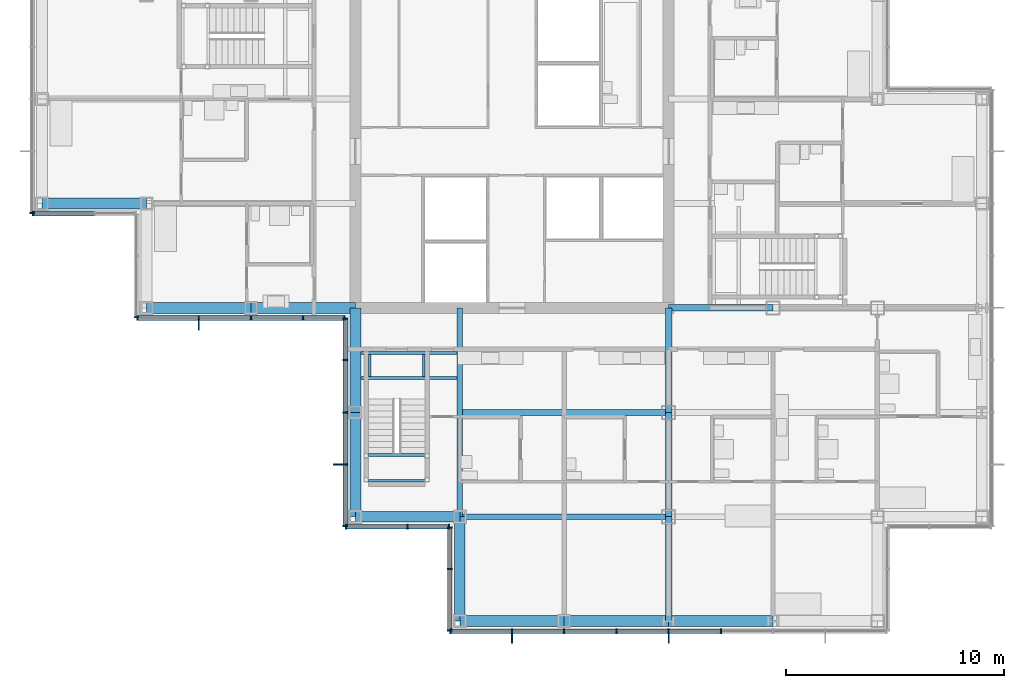
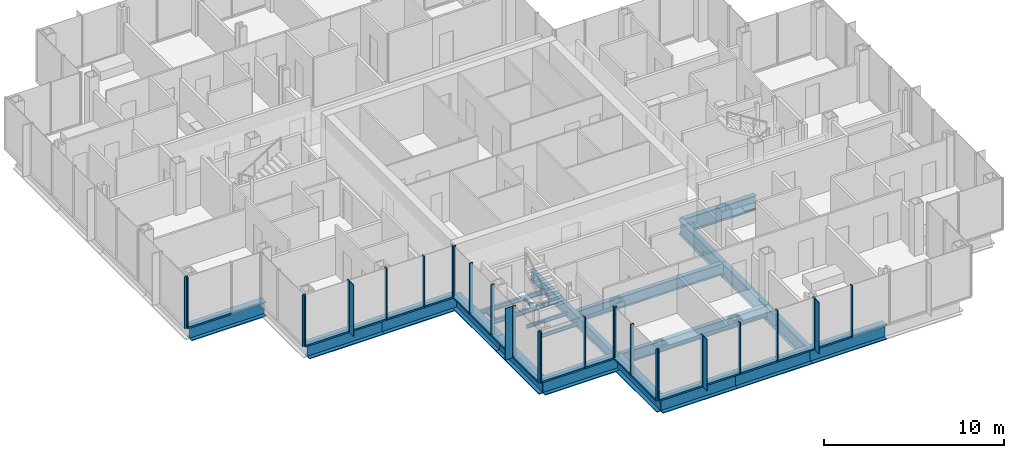
# One storey, part 6 of 20: 47 members, 23 beams, 8 elements without a shape of their own.
"""IFC4 building model written with IfcOpenShell, lengths in metres."""

from ifc_helpers import new_model, si_unit, direction, frame, origin, origin_2d, place, context, subcontext, project, spatial, rectangle, i_section, extrude, material, material_profile, profile_set, type_object, element, aggregate, save


model = new_model("IFC4")

# Units and contexts
model_context = context("Model", 3, precision=1e-05, world=origin(), true_north=direction((0.0, 1.0)))
body_context = subcontext(model_context, "Body", "Model", "MODEL_VIEW")
ifc_project = project(units=[si_unit("LENGTHUNIT", "METRE"), si_unit("AREAUNIT", "SQUARE_METRE"), si_unit("VOLUMEUNIT", "CUBIC_METRE"), si_unit("PLANEANGLEUNIT", "RADIAN"), si_unit("MASSUNIT", "GRAM", prefix="KILO")], contexts=[model_context])

# Site, building, storey
site_placement = place(None, origin())
site = spatial("IfcSite", under=ifc_project, at=site_placement, CompositionType="ELEMENT")
building_placement = place(site_placement, origin())
building = spatial("IfcBuilding", under=site, at=building_placement, Name="Kvirike Care Tower", CompositionType="ELEMENT")
storey_placement = place(building_placement, frame((0.0, 0.0, 112.0)))
storey = spatial("IfcBuildingStorey", under=building, at=storey_placement, Name="L30", CompositionType="ELEMENT", Elevation=112.0)

# Curtain wall, member
ifc_material_1 = material(Name="Anodised aluminium stick system", Category="aluminium")
curtain_wall_type = type_object("IfcCurtainWallType", Name="CW-B STICK CURTAIN WALL", PredefinedType="NOTDEFINED", material=ifc_material_1)
curtain_wall_1_placement = place(storey_placement, origin())
curtain_wall_1 = element("IfcCurtainWall", 1, at=curtain_wall_1_placement, inside=storey, type_object=curtain_wall_type, Name="Curtain wall L30 face 14", PredefinedType="NOTDEFINED")
ifc_material_2 = material(Name="Bronze anodised aluminium fin", Category="aluminium")
ifc_material_profile_1 = material_profile(ifc_material_2, rectangle(XDim=0.050048828125, YDim=0.449951171875, at=origin_2d()), Name="BRONZE FIN 450")
ifc_profile_set_1 = profile_set([ifc_material_profile_1], Name="Bronze anodised aluminium fin")
member_type_1 = type_object("IfcMemberType", Name="BRONZE FIN 450", PredefinedType="USERDEFINED", material=ifc_profile_set_1)
member_1_placement = place(storey_placement, frame((7.199951171875, 28.0048828125, 0.0), z_axis=(0.0, 0.0, 1.0), x_axis=(1.0, 0.0, 0.0)))
member_1 = element("IfcMember", 2, at=member_1_placement, type_object=member_type_1, Name="Bronze fin L30 face 14.2", ObjectType="FIN", PredefinedType="USERDEFINED", context=body_context, shape_type="SweptSolid", body=[
    extrude(rectangle(XDim=0.050048828125, YDim=0.449951171875, at=origin_2d()), origin(), (0.0, 0.0, 1.0), 3.5),
])

curtain_wall_2_placement = place(storey_placement, origin())
curtain_wall_2 = element("IfcCurtainWall", 3, at=curtain_wall_2_placement, inside=storey, type_object=curtain_wall_type, Name="Curtain wall L30 face 15", PredefinedType="NOTDEFINED")
member_2_placement = place(storey_placement, frame((13.60498046875, 21.60009765625, 0.0), z_axis=(0.0, 0.0, 1.0), x_axis=(0.0, -1.0, 0.0)))
member_2 = element("IfcMember", 4, at=member_2_placement, type_object=member_type_1, Name="Bronze fin L30 face 15.4", ObjectType="FIN", PredefinedType="USERDEFINED", context=body_context, shape_type="SweptSolid", body=[
    extrude(rectangle(XDim=0.050048828125, YDim=0.449951171875, at=origin_2d()), origin(), (0.0, 0.0, 1.0), 3.5),
])

# Curtain wall, members
curtain_wall_3_placement = place(storey_placement, origin())
curtain_wall_3 = element("IfcCurtainWall", 5, at=curtain_wall_3_placement, inside=storey, type_object=curtain_wall_type, Name="Curtain wall L30 face 18", PredefinedType="NOTDEFINED")
member_3_placement = place(storey_placement, frame((21.60009765625, 13.60498046875, 0.0), z_axis=(0.0, 0.0, 1.0), x_axis=(1.0, 0.0, 0.0)))
member_3 = element("IfcMember", 6, at=member_3_placement, type_object=member_type_1, Name="Bronze fin L30 face 18.2", ObjectType="FIN", PredefinedType="USERDEFINED", context=body_context, shape_type="SweptSolid", body=[
    extrude(rectangle(XDim=0.050048828125, YDim=0.449951171875, at=origin_2d()), origin(), (0.0, 0.0, 1.0), 3.5),
])
member_4_placement = place(storey_placement, frame((28.800048828125, 13.60498046875, 0.0), z_axis=(0.0, 0.0, 1.0), x_axis=(1.0, 0.0, 0.0)))
member_4 = element("IfcMember", 7, at=member_4_placement, type_object=member_type_1, Name="Bronze fin L30 face 18.5", ObjectType="FIN", PredefinedType="USERDEFINED", context=body_context, shape_type="SweptSolid", body=[
    extrude(rectangle(XDim=0.050048828125, YDim=0.449951171875, at=origin_2d()), origin(), (0.0, 0.0, 1.0), 3.5),
])

# Curtain wall, member
curtain_wall_4_placement = place(storey_placement, origin())
curtain_wall_4 = element("IfcCurtainWall", 8, at=curtain_wall_4_placement, inside=storey, type_object=curtain_wall_type, Name="Curtain wall L30 face 11", PredefinedType="NOTDEFINED")
ifc_material_3 = material(Name="Bronze anodised aluminium mullion", Category="aluminium")
ifc_material_profile_2 = material_profile(ifc_material_3, rectangle(XDim=0.06494140625, YDim=0.219970703125, at=origin_2d()), Name="CW-B MULLION 65x220")
ifc_profile_set_2 = profile_set([ifc_material_profile_2], Name="Bronze anodised aluminium mullion")
member_type_2 = type_object("IfcMemberType", Name="CW-B MULLION 65x220", PredefinedType="MULLION", material=ifc_profile_set_2)
member_5_placement = place(storey_placement, frame((-0.4599609375, 33.172607421875, 0.0), z_axis=(0.0, 0.0, 1.0), x_axis=(0.0, -1.0, 0.0)))
member_5 = element("IfcMember", 9, at=member_5_placement, type_object=member_type_2, Name="CW-B mullion L30 face 11.9", PredefinedType="MULLION", context=body_context, shape_type="SweptSolid", body=[
    extrude(rectangle(XDim=0.06494140625, YDim=0.219970703125, at=origin_2d()), origin(), (0.0, 0.0, 1.0), 3.5),
])
aggregate(curtain_wall_4, [member_5])

curtain_wall_5_placement = place(storey_placement, origin())
curtain_wall_5 = element("IfcCurtainWall", 10, at=curtain_wall_5_placement, inside=storey, type_object=curtain_wall_type, Name="Curtain wall L30 face 12", PredefinedType="NOTDEFINED")
member_6_placement = place(storey_placement, frame((-0.427490234375, 33.139892578125, 0.0), z_axis=(0.0, 0.0, 1.0), x_axis=(1.0, 0.0, 0.0)))
member_6 = element("IfcMember", 11, at=member_6_placement, type_object=member_type_2, Name="CW-B mullion L30 face 12.1", PredefinedType="MULLION", context=body_context, shape_type="SweptSolid", body=[
    extrude(rectangle(XDim=0.06494140625, YDim=0.219970703125, at=origin_2d()), origin(), (0.0, 0.0, 1.0), 3.5),
])

curtain_wall_6_placement = place(storey_placement, origin())
curtain_wall_6 = element("IfcCurtainWall", 12, at=curtain_wall_6_placement, inside=storey, type_object=curtain_wall_type, Name="Curtain wall L30 face 13", PredefinedType="NOTDEFINED")
member_7_placement = place(storey_placement, frame((4.340087890625, 28.37255859375, 0.0), z_axis=(0.0, 0.0, 1.0), x_axis=(0.0, -1.0, 0.0)))
member_7 = element("IfcMember", 13, at=member_7_placement, type_object=member_type_2, Name="CW-B mullion L30 face 13.3", PredefinedType="MULLION", context=body_context, shape_type="SweptSolid", body=[
    extrude(rectangle(XDim=0.06494140625, YDim=0.219970703125, at=origin_2d()), origin(), (0.0, 0.0, 1.0), 3.5),
])
aggregate(curtain_wall_6, [member_7])

# Member
member_8_placement = place(storey_placement, frame((4.37255859375, 28.340087890625, 0.0), z_axis=(0.0, 0.0, 1.0), x_axis=(1.0, 0.0, 0.0)))
member_8 = element("IfcMember", 14, at=member_8_placement, type_object=member_type_2, Name="CW-B mullion L30 face 14.1", PredefinedType="MULLION", context=body_context, shape_type="SweptSolid", body=[
    extrude(rectangle(XDim=0.06494140625, YDim=0.219970703125, at=origin_2d()), origin(), (0.0, 0.0, 1.0), 3.5),
])

member_9_placement = place(storey_placement, frame((7.199951171875, 28.340087890625, 0.0), z_axis=(0.0, 0.0, 1.0), x_axis=(1.0, 0.0, 0.0)))
member_9 = element("IfcMember", 15, at=member_9_placement, type_object=member_type_2, Name="CW-B mullion L30 face 14.2", PredefinedType="MULLION", context=body_context, shape_type="SweptSolid", body=[
    extrude(rectangle(XDim=0.06494140625, YDim=0.219970703125, at=origin_2d()), origin(), (0.0, 0.0, 1.0), 3.5),
])

member_10_placement = place(storey_placement, frame((9.60009765625, 28.340087890625, 0.0), z_axis=(0.0, 0.0, 1.0), x_axis=(1.0, 0.0, 0.0)))
member_10 = element("IfcMember", 16, at=member_10_placement, type_object=member_type_2, Name="CW-B mullion L30 face 14.3", PredefinedType="MULLION", context=body_context, shape_type="SweptSolid", body=[
    extrude(rectangle(XDim=0.06494140625, YDim=0.219970703125, at=origin_2d()), origin(), (0.0, 0.0, 1.0), 3.5),
])

member_11_placement = place(storey_placement, frame((12.0, 28.340087890625, 0.0), z_axis=(0.0, 0.0, 1.0), x_axis=(1.0, 0.0, 0.0)))
member_11 = element("IfcMember", 17, at=member_11_placement, type_object=member_type_2, Name="CW-B mullion L30 face 14.4", PredefinedType="MULLION", context=body_context, shape_type="SweptSolid", body=[
    extrude(rectangle(XDim=0.06494140625, YDim=0.219970703125, at=origin_2d()), origin(), (0.0, 0.0, 1.0), 3.5),
])

member_12_placement = place(storey_placement, frame((13.907470703125, 28.340087890625, 0.0), z_axis=(0.0, 0.0, 1.0), x_axis=(1.0, 0.0, 0.0)))
member_12 = element("IfcMember", 18, at=member_12_placement, type_object=member_type_2, Name="CW-B mullion L30 face 14.5", PredefinedType="MULLION", context=body_context, shape_type="SweptSolid", body=[
    extrude(rectangle(XDim=0.06494140625, YDim=0.219970703125, at=origin_2d()), origin(), (0.0, 0.0, 1.0), 3.5),
])

member_13_placement = place(storey_placement, frame((13.93994140625, 28.3076171875, 0.0), z_axis=(0.0, 0.0, 1.0), x_axis=(0.0, -1.0, 0.0)))
member_13 = element("IfcMember", 19, at=member_13_placement, type_object=member_type_2, Name="CW-B mullion L30 face 15.1", PredefinedType="MULLION", context=body_context, shape_type="SweptSolid", body=[
    extrude(rectangle(XDim=0.06494140625, YDim=0.219970703125, at=origin_2d()), origin(), (0.0, 0.0, 1.0), 3.5),
])

member_14_placement = place(storey_placement, frame((13.93994140625, 26.39990234375, 0.0), z_axis=(0.0, 0.0, 1.0), x_axis=(0.0, -1.0, 0.0)))
member_14 = element("IfcMember", 20, at=member_14_placement, type_object=member_type_2, Name="CW-B mullion L30 face 15.2", PredefinedType="MULLION", context=body_context, shape_type="SweptSolid", body=[
    extrude(rectangle(XDim=0.06494140625, YDim=0.219970703125, at=origin_2d()), origin(), (0.0, 0.0, 1.0), 3.5),
])

member_15_placement = place(storey_placement, frame((13.93994140625, 24.0, 0.0), z_axis=(0.0, 0.0, 1.0), x_axis=(0.0, -1.0, 0.0)))
member_15 = element("IfcMember", 21, at=member_15_placement, type_object=member_type_2, Name="CW-B mullion L30 face 15.3", PredefinedType="MULLION", context=body_context, shape_type="SweptSolid", body=[
    extrude(rectangle(XDim=0.06494140625, YDim=0.219970703125, at=origin_2d()), origin(), (0.0, 0.0, 1.0), 3.5),
])

member_16_placement = place(storey_placement, frame((13.93994140625, 21.60009765625, 0.0), z_axis=(0.0, 0.0, 1.0), x_axis=(0.0, -1.0, 0.0)))
member_16 = element("IfcMember", 22, at=member_16_placement, type_object=member_type_2, Name="CW-B mullion L30 face 15.4", PredefinedType="MULLION", context=body_context, shape_type="SweptSolid", body=[
    extrude(rectangle(XDim=0.06494140625, YDim=0.219970703125, at=origin_2d()), origin(), (0.0, 0.0, 1.0), 3.5),
])

member_17_placement = place(storey_placement, frame((13.93994140625, 18.7724609375, 0.0), z_axis=(0.0, 0.0, 1.0), x_axis=(0.0, -1.0, 0.0)))
member_17 = element("IfcMember", 23, at=member_17_placement, type_object=member_type_2, Name="CW-B mullion L30 face 15.5", PredefinedType="MULLION", context=body_context, shape_type="SweptSolid", body=[
    extrude(rectangle(XDim=0.06494140625, YDim=0.219970703125, at=origin_2d()), origin(), (0.0, 0.0, 1.0), 3.5),
])

# Curtain wall, members
curtain_wall_7_placement = place(storey_placement, origin())
curtain_wall_7 = element("IfcCurtainWall", 24, at=curtain_wall_7_placement, inside=storey, type_object=curtain_wall_type, Name="Curtain wall L30 face 16", PredefinedType="NOTDEFINED")
member_18_placement = place(storey_placement, frame((13.972412109375, 18.739990234375, 0.0), z_axis=(0.0, 0.0, 1.0), x_axis=(1.0, 0.0, 0.0)))
member_18 = element("IfcMember", 25, at=member_18_placement, type_object=member_type_2, Name="CW-B mullion L30 face 16.1", PredefinedType="MULLION", context=body_context, shape_type="SweptSolid", body=[
    extrude(rectangle(XDim=0.06494140625, YDim=0.219970703125, at=origin_2d()), origin(), (0.0, 0.0, 1.0), 3.5),
])
member_19_placement = place(storey_placement, frame((16.800048828125, 18.739990234375, 0.0), z_axis=(0.0, 0.0, 1.0), x_axis=(1.0, 0.0, 0.0)))
member_19 = element("IfcMember", 26, at=member_19_placement, type_object=member_type_2, Name="CW-B mullion L30 face 16.2", PredefinedType="MULLION", context=body_context, shape_type="SweptSolid", body=[
    extrude(rectangle(XDim=0.06494140625, YDim=0.219970703125, at=origin_2d()), origin(), (0.0, 0.0, 1.0), 3.5),
])
member_20_placement = place(storey_placement, frame((18.70751953125, 18.739990234375, 0.0), z_axis=(0.0, 0.0, 1.0), x_axis=(1.0, 0.0, 0.0)))
member_20 = element("IfcMember", 27, at=member_20_placement, type_object=member_type_2, Name="CW-B mullion L30 face 16.3", PredefinedType="MULLION", context=body_context, shape_type="SweptSolid", body=[
    extrude(rectangle(XDim=0.06494140625, YDim=0.219970703125, at=origin_2d()), origin(), (0.0, 0.0, 1.0), 3.5),
])

curtain_wall_8_placement = place(storey_placement, origin())
curtain_wall_8 = element("IfcCurtainWall", 28, at=curtain_wall_8_placement, inside=storey, type_object=curtain_wall_type, Name="Curtain wall L30 face 17", PredefinedType="NOTDEFINED")
member_21_placement = place(storey_placement, frame((18.739990234375, 18.70751953125, 0.0), z_axis=(0.0, 0.0, 1.0), x_axis=(0.0, -1.0, 0.0)))
member_21 = element("IfcMember", 29, at=member_21_placement, type_object=member_type_2, Name="CW-B mullion L30 face 17.1", PredefinedType="MULLION", context=body_context, shape_type="SweptSolid", body=[
    extrude(rectangle(XDim=0.06494140625, YDim=0.219970703125, at=origin_2d()), origin(), (0.0, 0.0, 1.0), 3.5),
])
member_22_placement = place(storey_placement, frame((18.739990234375, 16.800048828125, 0.0), z_axis=(0.0, 0.0, 1.0), x_axis=(0.0, -1.0, 0.0)))
member_22 = element("IfcMember", 30, at=member_22_placement, type_object=member_type_2, Name="CW-B mullion L30 face 17.2", PredefinedType="MULLION", context=body_context, shape_type="SweptSolid", body=[
    extrude(rectangle(XDim=0.06494140625, YDim=0.219970703125, at=origin_2d()), origin(), (0.0, 0.0, 1.0), 3.5),
])
member_23_placement = place(storey_placement, frame((18.739990234375, 13.972412109375, 0.0), z_axis=(0.0, 0.0, 1.0), x_axis=(0.0, -1.0, 0.0)))
member_23 = element("IfcMember", 31, at=member_23_placement, type_object=member_type_2, Name="CW-B mullion L30 face 17.3", PredefinedType="MULLION", context=body_context, shape_type="SweptSolid", body=[
    extrude(rectangle(XDim=0.06494140625, YDim=0.219970703125, at=origin_2d()), origin(), (0.0, 0.0, 1.0), 3.5),
])

# Member
member_24_placement = place(storey_placement, frame((18.7724609375, 13.93994140625, 0.0), z_axis=(0.0, 0.0, 1.0), x_axis=(1.0, 0.0, 0.0)))
member_24 = element("IfcMember", 32, at=member_24_placement, type_object=member_type_2, Name="CW-B mullion L30 face 18.1", PredefinedType="MULLION", context=body_context, shape_type="SweptSolid", body=[
    extrude(rectangle(XDim=0.06494140625, YDim=0.219970703125, at=origin_2d()), origin(), (0.0, 0.0, 1.0), 3.5),
])

member_25_placement = place(storey_placement, frame((21.60009765625, 13.93994140625, 0.0), z_axis=(0.0, 0.0, 1.0), x_axis=(1.0, 0.0, 0.0)))
member_25 = element("IfcMember", 33, at=member_25_placement, type_object=member_type_2, Name="CW-B mullion L30 face 18.2", PredefinedType="MULLION", context=body_context, shape_type="SweptSolid", body=[
    extrude(rectangle(XDim=0.06494140625, YDim=0.219970703125, at=origin_2d()), origin(), (0.0, 0.0, 1.0), 3.5),
])

member_26_placement = place(storey_placement, frame((24.0, 13.93994140625, 0.0), z_axis=(0.0, 0.0, 1.0), x_axis=(1.0, 0.0, 0.0)))
member_26 = element("IfcMember", 34, at=member_26_placement, type_object=member_type_2, Name="CW-B mullion L30 face 18.3", PredefinedType="MULLION", context=body_context, shape_type="SweptSolid", body=[
    extrude(rectangle(XDim=0.06494140625, YDim=0.219970703125, at=origin_2d()), origin(), (0.0, 0.0, 1.0), 3.5),
])

member_27_placement = place(storey_placement, frame((26.39990234375, 13.93994140625, 0.0), z_axis=(0.0, 0.0, 1.0), x_axis=(1.0, 0.0, 0.0)))
member_27 = element("IfcMember", 35, at=member_27_placement, type_object=member_type_2, Name="CW-B mullion L30 face 18.4", PredefinedType="MULLION", context=body_context, shape_type="SweptSolid", body=[
    extrude(rectangle(XDim=0.06494140625, YDim=0.219970703125, at=origin_2d()), origin(), (0.0, 0.0, 1.0), 3.5),
])

member_28_placement = place(storey_placement, frame((28.800048828125, 13.93994140625, 0.0), z_axis=(0.0, 0.0, 1.0), x_axis=(1.0, 0.0, 0.0)))
member_28 = element("IfcMember", 36, at=member_28_placement, type_object=member_type_2, Name="CW-B mullion L30 face 18.5", PredefinedType="MULLION", context=body_context, shape_type="SweptSolid", body=[
    extrude(rectangle(XDim=0.06494140625, YDim=0.219970703125, at=origin_2d()), origin(), (0.0, 0.0, 1.0), 3.5),
])

member_29_placement = place(storey_placement, frame((31.199951171875, 13.93994140625, 0.0), z_axis=(0.0, 0.0, 1.0), x_axis=(1.0, 0.0, 0.0)))
member_29 = element("IfcMember", 37, at=member_29_placement, type_object=member_type_2, Name="CW-B mullion L30 face 18.6", PredefinedType="MULLION", context=body_context, shape_type="SweptSolid", body=[
    extrude(rectangle(XDim=0.06494140625, YDim=0.219970703125, at=origin_2d()), origin(), (0.0, 0.0, 1.0), 3.5),
])

ifc_material_4 = material(Name="Bronze anodised aluminium transom", Category="aluminium")
ifc_material_profile_3 = material_profile(ifc_material_4, rectangle(XDim=0.219970703125, YDim=0.10009765625, at=origin_2d()), Name="CW-B TRANSOM 220x100")
ifc_profile_set_3 = profile_set([ifc_material_profile_3], Name="Bronze anodised aluminium transom")
member_type_3 = type_object("IfcMemberType", Name="CW-B TRANSOM 220x100", PredefinedType="USERDEFINED", material=ifc_profile_set_3)
member_30_placement = place(storey_placement, frame((-0.39501953125, 33.139892578125, 0.050048828125), z_axis=(1.0, 0.0, 0.0), x_axis=(0.0, 1.0, 0.0)))
member_30 = element("IfcMember", 38, at=member_30_placement, type_object=member_type_3, Name="CW-B sill transom L30 face 12.1", ObjectType="TRANSOM", PredefinedType="USERDEFINED", context=body_context, shape_type="SweptSolid", body=[
    extrude(rectangle(XDim=0.219970703125, YDim=0.10009765625, at=origin_2d()), origin(), (0.0, 0.0, 1.0), 2.762451171875),
])

aggregate(curtain_wall_5, [member_6, member_30])

member_31_placement = place(storey_placement, frame((4.405029296875, 28.340087890625, 0.050048828125), z_axis=(1.0, 0.0, 0.0), x_axis=(0.0, 1.0, 0.0)))
member_31 = element("IfcMember", 39, at=member_31_placement, type_object=member_type_3, Name="CW-B sill transom L30 face 14.1", ObjectType="TRANSOM", PredefinedType="USERDEFINED", context=body_context, shape_type="SweptSolid", body=[
    extrude(rectangle(XDim=0.219970703125, YDim=0.10009765625, at=origin_2d()), origin(), (0.0, 0.0, 1.0), 2.762451171875),
])

member_32_placement = place(storey_placement, frame((7.232421875, 28.340087890625, 0.050048828125), z_axis=(1.0, 0.0, 0.0), x_axis=(0.0, 1.0, 0.0)))
member_32 = element("IfcMember", 40, at=member_32_placement, type_object=member_type_3, Name="CW-B sill transom L30 face 14.2", ObjectType="TRANSOM", PredefinedType="USERDEFINED", context=body_context, shape_type="SweptSolid", body=[
    extrude(rectangle(XDim=0.219970703125, YDim=0.10009765625, at=origin_2d()), origin(), (0.0, 0.0, 1.0), 2.3349609375),
])

member_33_placement = place(storey_placement, frame((9.632568359375, 28.340087890625, 0.050048828125), z_axis=(1.0, 0.0, 0.0), x_axis=(0.0, 1.0, 0.0)))
member_33 = element("IfcMember", 41, at=member_33_placement, type_object=member_type_3, Name="CW-B sill transom L30 face 14.3", ObjectType="TRANSOM", PredefinedType="USERDEFINED", context=body_context, shape_type="SweptSolid", body=[
    extrude(rectangle(XDim=0.219970703125, YDim=0.10009765625, at=origin_2d()), origin(), (0.0, 0.0, 1.0), 2.3349609375),
])

member_34_placement = place(storey_placement, frame((12.032470703125, 28.340087890625, 0.050048828125), z_axis=(1.0, 0.0, 0.0), x_axis=(0.0, 1.0, 0.0)))
member_34 = element("IfcMember", 42, at=member_34_placement, type_object=member_type_3, Name="CW-B sill transom L30 face 14.4", ObjectType="TRANSOM", PredefinedType="USERDEFINED", context=body_context, shape_type="SweptSolid", body=[
    extrude(rectangle(XDim=0.219970703125, YDim=0.10009765625, at=origin_2d()), origin(), (0.0, 0.0, 1.0), 1.842529296875),
])

aggregate(curtain_wall_1, [member_8, member_9, member_1, member_10, member_11, member_12, member_31, member_32, member_33, member_34])

member_35_placement = place(storey_placement, frame((13.93994140625, 28.27490234375, 0.050048828125), z_axis=(0.0, -1.0, 0.0), x_axis=(1.0, 0.0, 0.0)))
member_35 = element("IfcMember", 43, at=member_35_placement, type_object=member_type_3, Name="CW-B sill transom L30 face 15.1", ObjectType="TRANSOM", PredefinedType="USERDEFINED", context=body_context, shape_type="SweptSolid", body=[
    extrude(rectangle(XDim=0.219970703125, YDim=0.10009765625, at=origin_2d()), origin(), (0.0, 0.0, 1.0), 1.84228515625),
])

member_36_placement = place(storey_placement, frame((13.93994140625, 26.367431640625, 0.050048828125), z_axis=(0.0, -1.0, 0.0), x_axis=(1.0, 0.0, 0.0)))
member_36 = element("IfcMember", 44, at=member_36_placement, type_object=member_type_3, Name="CW-B sill transom L30 face 15.2", ObjectType="TRANSOM", PredefinedType="USERDEFINED", context=body_context, shape_type="SweptSolid", body=[
    extrude(rectangle(XDim=0.219970703125, YDim=0.10009765625, at=origin_2d()), origin(), (0.0, 0.0, 1.0), 2.3349609375),
])

member_37_placement = place(storey_placement, frame((13.93994140625, 23.967529296875, 0.050048828125), z_axis=(0.0, -1.0, 0.0), x_axis=(1.0, 0.0, 0.0)))
member_37 = element("IfcMember", 45, at=member_37_placement, type_object=member_type_3, Name="CW-B sill transom L30 face 15.3", ObjectType="TRANSOM", PredefinedType="USERDEFINED", context=body_context, shape_type="SweptSolid", body=[
    extrude(rectangle(XDim=0.219970703125, YDim=0.10009765625, at=origin_2d()), origin(), (0.0, 0.0, 1.0), 2.3349609375),
])

member_38_placement = place(storey_placement, frame((13.93994140625, 21.5673828125, 0.050048828125), z_axis=(0.0, -1.0, 0.0), x_axis=(1.0, 0.0, 0.0)))
member_38 = element("IfcMember", 46, at=member_38_placement, type_object=member_type_3, Name="CW-B sill transom L30 face 15.4", ObjectType="TRANSOM", PredefinedType="USERDEFINED", context=body_context, shape_type="SweptSolid", body=[
    extrude(rectangle(XDim=0.219970703125, YDim=0.10009765625, at=origin_2d()), origin(), (0.0, 0.0, 1.0), 2.762451171875),
])

aggregate(curtain_wall_2, [member_13, member_14, member_15, member_16, member_2, member_17, member_35, member_36, member_37, member_38])

member_39_placement = place(storey_placement, frame((14.0048828125, 18.739990234375, 0.050048828125), z_axis=(1.0, 0.0, 0.0), x_axis=(0.0, 1.0, 0.0)))
member_39 = element("IfcMember", 47, at=member_39_placement, type_object=member_type_3, Name="CW-B sill transom L30 face 16.1", ObjectType="TRANSOM", PredefinedType="USERDEFINED", context=body_context, shape_type="SweptSolid", body=[
    extrude(rectangle(XDim=0.219970703125, YDim=0.10009765625, at=origin_2d()), origin(), (0.0, 0.0, 1.0), 2.7626953125),
])

member_40_placement = place(storey_placement, frame((16.83251953125, 18.739990234375, 0.050048828125), z_axis=(1.0, 0.0, 0.0), x_axis=(0.0, 1.0, 0.0)))
member_40 = element("IfcMember", 48, at=member_40_placement, type_object=member_type_3, Name="CW-B sill transom L30 face 16.2", ObjectType="TRANSOM", PredefinedType="USERDEFINED", context=body_context, shape_type="SweptSolid", body=[
    extrude(rectangle(XDim=0.219970703125, YDim=0.10009765625, at=origin_2d()), origin(), (0.0, 0.0, 1.0), 1.842529296875),
])

aggregate(curtain_wall_7, [member_18, member_19, member_20, member_39, member_40])

member_41_placement = place(storey_placement, frame((18.739990234375, 18.675048828125, 0.050048828125), z_axis=(0.0, -1.0, 0.0), x_axis=(1.0, 0.0, 0.0)))
member_41 = element("IfcMember", 49, at=member_41_placement, type_object=member_type_3, Name="CW-B sill transom L30 face 17.1", ObjectType="TRANSOM", PredefinedType="USERDEFINED", context=body_context, shape_type="SweptSolid", body=[
    extrude(rectangle(XDim=0.219970703125, YDim=0.10009765625, at=origin_2d()), origin(), (0.0, 0.0, 1.0), 1.842529296875),
])

member_42_placement = place(storey_placement, frame((18.739990234375, 16.767578125, 0.050048828125), z_axis=(0.0, -1.0, 0.0), x_axis=(1.0, 0.0, 0.0)))
member_42 = element("IfcMember", 50, at=member_42_placement, type_object=member_type_3, Name="CW-B sill transom L30 face 17.2", ObjectType="TRANSOM", PredefinedType="USERDEFINED", context=body_context, shape_type="SweptSolid", body=[
    extrude(rectangle(XDim=0.219970703125, YDim=0.10009765625, at=origin_2d()), origin(), (0.0, 0.0, 1.0), 2.7626953125),
])

aggregate(curtain_wall_8, [member_21, member_22, member_23, member_41, member_42])

member_43_placement = place(storey_placement, frame((18.804931640625, 13.93994140625, 0.050048828125), z_axis=(1.0, 0.0, 0.0), x_axis=(0.0, 1.0, 0.0)))
member_43 = element("IfcMember", 51, at=member_43_placement, type_object=member_type_3, Name="CW-B sill transom L30 face 18.1", ObjectType="TRANSOM", PredefinedType="USERDEFINED", context=body_context, shape_type="SweptSolid", body=[
    extrude(rectangle(XDim=0.219970703125, YDim=0.10009765625, at=origin_2d()), origin(), (0.0, 0.0, 1.0), 2.762451171875),
])

member_44_placement = place(storey_placement, frame((21.632568359375, 13.93994140625, 0.050048828125), z_axis=(1.0, 0.0, 0.0), x_axis=(0.0, 1.0, 0.0)))
member_44 = element("IfcMember", 52, at=member_44_placement, type_object=member_type_3, Name="CW-B sill transom L30 face 18.2", ObjectType="TRANSOM", PredefinedType="USERDEFINED", context=body_context, shape_type="SweptSolid", body=[
    extrude(rectangle(XDim=0.219970703125, YDim=0.10009765625, at=origin_2d()), origin(), (0.0, 0.0, 1.0), 2.3349609375),
])

member_45_placement = place(storey_placement, frame((24.032470703125, 13.93994140625, 0.050048828125), z_axis=(1.0, 0.0, 0.0), x_axis=(0.0, 1.0, 0.0)))
member_45 = element("IfcMember", 53, at=member_45_placement, type_object=member_type_3, Name="CW-B sill transom L30 face 18.3", ObjectType="TRANSOM", PredefinedType="USERDEFINED", context=body_context, shape_type="SweptSolid", body=[
    extrude(rectangle(XDim=0.219970703125, YDim=0.10009765625, at=origin_2d()), origin(), (0.0, 0.0, 1.0), 2.3349609375),
])

member_46_placement = place(storey_placement, frame((26.4326171875, 13.93994140625, 0.050048828125), z_axis=(1.0, 0.0, 0.0), x_axis=(0.0, 1.0, 0.0)))
member_46 = element("IfcMember", 54, at=member_46_placement, type_object=member_type_3, Name="CW-B sill transom L30 face 18.4", ObjectType="TRANSOM", PredefinedType="USERDEFINED", context=body_context, shape_type="SweptSolid", body=[
    extrude(rectangle(XDim=0.219970703125, YDim=0.10009765625, at=origin_2d()), origin(), (0.0, 0.0, 1.0), 2.3349609375),
])

member_47_placement = place(storey_placement, frame((28.83251953125, 13.93994140625, 0.050048828125), z_axis=(1.0, 0.0, 0.0), x_axis=(0.0, 1.0, 0.0)))
member_47 = element("IfcMember", 55, at=member_47_placement, type_object=member_type_3, Name="CW-B sill transom L30 face 18.5", ObjectType="TRANSOM", PredefinedType="USERDEFINED", context=body_context, shape_type="SweptSolid", body=[
    extrude(rectangle(XDim=0.219970703125, YDim=0.10009765625, at=origin_2d()), origin(), (0.0, 0.0, 1.0), 2.3349609375),
])

aggregate(curtain_wall_3, [member_24, member_25, member_3, member_26, member_27, member_28, member_4, member_29, member_43, member_44, member_45, member_46, member_47])

# Beams
ifc_material_5 = material(Name="Steel S355", Category="steel")
ifc_material_profile_4 = material_profile(ifc_material_5, i_section(OverallWidth=0.26806640625, OverallDepth=0.77001953125, WebThickness=0.015625, FlangeThickness=0.025390625, FilletRadius=0.01708984375, at=origin_2d()), Name="IPE 750x196")
ifc_profile_set_4 = profile_set([ifc_material_profile_4], Name="Steel S355")
beam_type_1 = type_object("IfcBeamType", Name="FLOOR BEAM IPE 750x196", PredefinedType="BEAM", material=ifc_profile_set_4)
for number, where, z_axis, x_axis, name in (
    (56, (19.199951171875, 19.199951171875, -0.554931640625), (1.0, 0.0, 0.0), (0.0, 1.0, 0.0), "Floor Beam E7-E9 L30"),
    (57, (19.199951171875, 24.0, -0.554931640625), (1.0, 0.0, 0.0), (0.0, 1.0, 0.0), "Floor Beam F7-F9 L30"),
    (58, (19.199951171875, 19.199951171875, -0.554931640625), (0.0, 1.0, 0.0), (-1.0, 0.0, 0.0), "Floor Beam E7-G7 L30"),
):
    element("IfcBeam", number, at=place(storey_placement, frame(where, z_axis=z_axis, x_axis=x_axis)), inside=storey, type_object=beam_type_1, Name=name, PredefinedType="BEAM", context=body_context, shape_type="SweptSolid", body=[
        extrude(i_section(OverallWidth=0.26806640625, OverallDepth=0.77001953125, WebThickness=0.015625, FlangeThickness=0.025390625, FilletRadius=0.01708984375, at=origin_2d()), origin(), (0.0, 0.0, 1.0), 9.60009765625),
    ])
ifc_material_6 = material(Name="Steel S355", Category="steel")
ifc_material_profile_5 = material_profile(ifc_material_6, i_section(OverallWidth=0.300048828125, OverallDepth=1.0, WebThickness=0.01904296875, FlangeThickness=0.035888671875, FilletRadius=0.030029296875, at=origin_2d()), Name="HE 1000 B")
ifc_profile_set_5 = profile_set([ifc_material_profile_5], Name="Steel S355")
beam_type_2 = type_object("IfcBeamType", Name="FRAME BEAM HE 1000 B", PredefinedType="BEAM", material=ifc_profile_set_5)
for number, where, z_axis, x_axis, name in (
    (59, (28.800048828125, 28.800048828125, -0.669921875), (1.0, 0.0, 0.0), (0.0, 1.0, 0.0), "Frame Beam G9-G10 L30"),
    (60, (28.800048828125, 14.39990234375, -0.669921875), (0.0, 1.0, 0.0), (-1.0, 0.0, 0.0), "Frame Beam D9-E9 L30"),
    (61, (28.800048828125, 19.199951171875, -0.669921875), (0.0, 1.0, 0.0), (-1.0, 0.0, 0.0), "Frame Beam E9-F9 L30"),
    (62, (28.800048828125, 24.0, -0.669921875), (0.0, 1.0, 0.0), (-1.0, 0.0, 0.0), "Frame Beam F9-G9 L30"),
):
    element("IfcBeam", number, at=place(storey_placement, frame(where, z_axis=z_axis, x_axis=x_axis)), inside=storey, type_object=beam_type_2, Name=name, PredefinedType="BEAM", context=body_context, shape_type="SweptSolid", body=[
        extrude(i_section(OverallWidth=0.300048828125, OverallDepth=1.0, WebThickness=0.01904296875, FlangeThickness=0.035888671875, FilletRadius=0.030029296875, at=origin_2d()), origin(), (0.0, 0.0, 1.0), 4.800048828125),
    ])
ifc_material_7 = material(Name="Steel S355", Category="steel")
ifc_material_profile_6 = material_profile(ifc_material_7, i_section(OverallWidth=0.5, OverallDepth=1.0, WebThickness=0.030029296875, FlangeThickness=0.06005859375, at=origin_2d()), Name="PG 1000x500x30x60")
ifc_profile_set_6 = profile_set([ifc_material_profile_6], Name="Steel S355")
beam_type_3 = type_object("IfcBeamType", Name="SPANDREL PG 1000x500x30x60", PredefinedType="SPANDREL", material=ifc_profile_set_6)
for number, where, z_axis, x_axis, name in (
    (63, (19.199951171875, 14.39990234375, -0.669921875), (1.0, 0.0, 0.0), (0.0, 1.0, 0.0), "Spandrel D7-D8 L30"),
    (64, (24.0, 14.39990234375, -0.669921875), (1.0, 0.0, 0.0), (0.0, 1.0, 0.0), "Spandrel D8-D9 L30"),
    (65, (28.800048828125, 14.39990234375, -0.669921875), (1.0, 0.0, 0.0), (0.0, 1.0, 0.0), "Spandrel D9-D10 L30"),
    (66, (14.39990234375, 19.199951171875, -0.669921875), (1.0, 0.0, 0.0), (0.0, 1.0, 0.0), "Spandrel E6-E7 L30"),
    (67, (4.800048828125, 28.800048828125, -0.669921875), (1.0, 0.0, 0.0), (0.0, 1.0, 0.0), "Spandrel G4-G5 L30"),
):
    element("IfcBeam", number, at=place(storey_placement, frame(where, z_axis=z_axis, x_axis=x_axis)), inside=storey, type_object=beam_type_3, Name=name, PredefinedType="SPANDREL", context=body_context, shape_type="SweptSolid", body=[
        extrude(i_section(OverallWidth=0.5, OverallDepth=1.0, WebThickness=0.030029296875, FlangeThickness=0.06005859375, at=origin_2d()), origin(), (0.0, 0.0, 1.0), 4.800048828125),
    ])
beam_placement = place(storey_placement, frame((9.60009765625, 28.800048828125, -0.669921875), z_axis=(1.0, 0.0, 0.0), x_axis=(0.0, 1.0, 0.0)))
element("IfcBeam", 68, at=beam_placement, inside=storey, type_object=beam_type_3, Name="Spandrel G5-G6 L30", PredefinedType="SPANDREL", context=body_context, shape_type="SweptSolid", body=[
    extrude(i_section(OverallWidth=0.5, OverallDepth=1.0, WebThickness=0.030029296875, FlangeThickness=0.06005859375, at=origin_2d()), origin(), (0.0, 0.0, 1.0), 4.7998046875),
])
for number, where, z_axis, x_axis, name in (
    (69, (0.0, 33.60009765625, -0.669921875), (1.0, 0.0, 0.0), (0.0, 1.0, 0.0), "Spandrel H3-H4 L30"),
    (70, (14.39990234375, 19.199951171875, -0.669921875), (0.0, 1.0, 0.0), (-1.0, 0.0, 0.0), "Spandrel E6-F6 L30"),
    (71, (14.39990234375, 24.0, -0.669921875), (0.0, 1.0, 0.0), (-1.0, 0.0, 0.0), "Spandrel F6-G6 L30"),
    (72, (19.199951171875, 14.39990234375, -0.669921875), (0.0, 1.0, 0.0), (-1.0, 0.0, 0.0), "Spandrel D7-E7 L30"),
):
    element("IfcBeam", number, at=place(storey_placement, frame(where, z_axis=z_axis, x_axis=x_axis)), inside=storey, type_object=beam_type_3, Name=name, PredefinedType="SPANDREL", context=body_context, shape_type="SweptSolid", body=[
        extrude(i_section(OverallWidth=0.5, OverallDepth=1.0, WebThickness=0.030029296875, FlangeThickness=0.06005859375, at=origin_2d()), origin(), (0.0, 0.0, 1.0), 4.800048828125),
    ])
ifc_material_8 = material(Name="Steel S355", Category="steel")
ifc_material_profile_7 = material_profile(ifc_material_8, i_section(OverallWidth=0.1201171875, OverallDepth=0.239990234375, WebThickness=0.006103515625, FlangeThickness=0.009765625, FilletRadius=0.014892578125, at=origin_2d()), Name="IPE 240")
ifc_profile_set_7 = profile_set([ifc_material_profile_7], Name="Steel S355")
beam_type_4 = type_object("IfcBeamType", Name="STAIR LANDING BEAM IPE 240", PredefinedType="BEAM", material=ifc_profile_set_7)
for number, where, z_axis, x_axis, name in (
    (73, (15.0, 20.860107421875, 1.429931640625), (1.0, 0.0, 0.0), (0.0, 1.0, 0.0), "Stair 5 landing beam back L30"),
    (74, (15.0, 22.0400390625, 1.429931640625), (1.0, 0.0, 0.0), (0.0, 1.0, 0.0), "Stair 5 landing beam front L30"),
):
    element("IfcBeam", number, at=place(storey_placement, frame(where, z_axis=z_axis, x_axis=x_axis)), inside=storey, type_object=beam_type_4, Name=name, PredefinedType="BEAM", context=body_context, shape_type="SweptSolid", body=[
        extrude(i_section(OverallWidth=0.1201171875, OverallDepth=0.239990234375, WebThickness=0.006103515625, FlangeThickness=0.009765625, FilletRadius=0.014892578125, at=origin_2d()), origin(), (0.0, 0.0, 1.0), 2.60009765625),
    ])
for number, where, z_axis, x_axis, name in (
    (75, (15.06005859375, 25.64990234375, -0.320068359375), (0.0, 1.0, 0.0), (-1.0, 0.0, 0.0), "Stair 5 landing edge beam 1 L30"),
    (76, (17.5400390625, 25.64990234375, -0.320068359375), (0.0, 1.0, 0.0), (-1.0, 0.0, 0.0), "Stair 5 landing edge beam 2 L30"),
):
    element("IfcBeam", number, at=place(storey_placement, frame(where, z_axis=z_axis, x_axis=x_axis)), inside=storey, type_object=beam_type_4, Name=name, PredefinedType="BEAM", context=body_context, shape_type="SweptSolid", body=[
        extrude(i_section(OverallWidth=0.1201171875, OverallDepth=0.239990234375, WebThickness=0.006103515625, FlangeThickness=0.009765625, FilletRadius=0.014892578125, at=origin_2d()), origin(), (0.0, 0.0, 1.0), 1.0),
    ])
ifc_material_9 = material(Name="Steel S355", Category="steel")
ifc_material_profile_8 = material_profile(ifc_material_9, i_section(OverallWidth=0.14990234375, OverallDepth=0.300048828125, WebThickness=0.007080078125, FlangeThickness=0.0107421875, FilletRadius=0.014892578125, at=origin_2d()), Name="IPE 300")
ifc_profile_set_8 = profile_set([ifc_material_profile_8], Name="Steel S355")
beam_type_5 = type_object("IfcBeamType", Name="STAIR TRIMMER IPE 300", PredefinedType="BEAM", material=ifc_profile_set_8)
for number, where, z_axis, x_axis, name in (
    (77, (14.64990234375, 25.574951171875, -0.35009765625), (1.0, 0.0, 0.0), (0.0, 1.0, 0.0), "Stair 5 trimmer 1 L30"),
    (78, (14.64990234375, 26.72509765625, -0.35009765625), (1.0, 0.0, 0.0), (0.0, 1.0, 0.0), "Stair 5 trimmer 2 L30"),
):
    element("IfcBeam", number, at=place(storey_placement, frame(where, z_axis=z_axis, x_axis=x_axis)), inside=storey, type_object=beam_type_5, Name=name, PredefinedType="BEAM", context=body_context, shape_type="SweptSolid", body=[
        extrude(i_section(OverallWidth=0.14990234375, OverallDepth=0.300048828125, WebThickness=0.007080078125, FlangeThickness=0.0107421875, FilletRadius=0.014892578125, at=origin_2d()), origin(), (0.0, 0.0, 1.0), 4.416015625),
    ])

save(model, "model.ifc")
